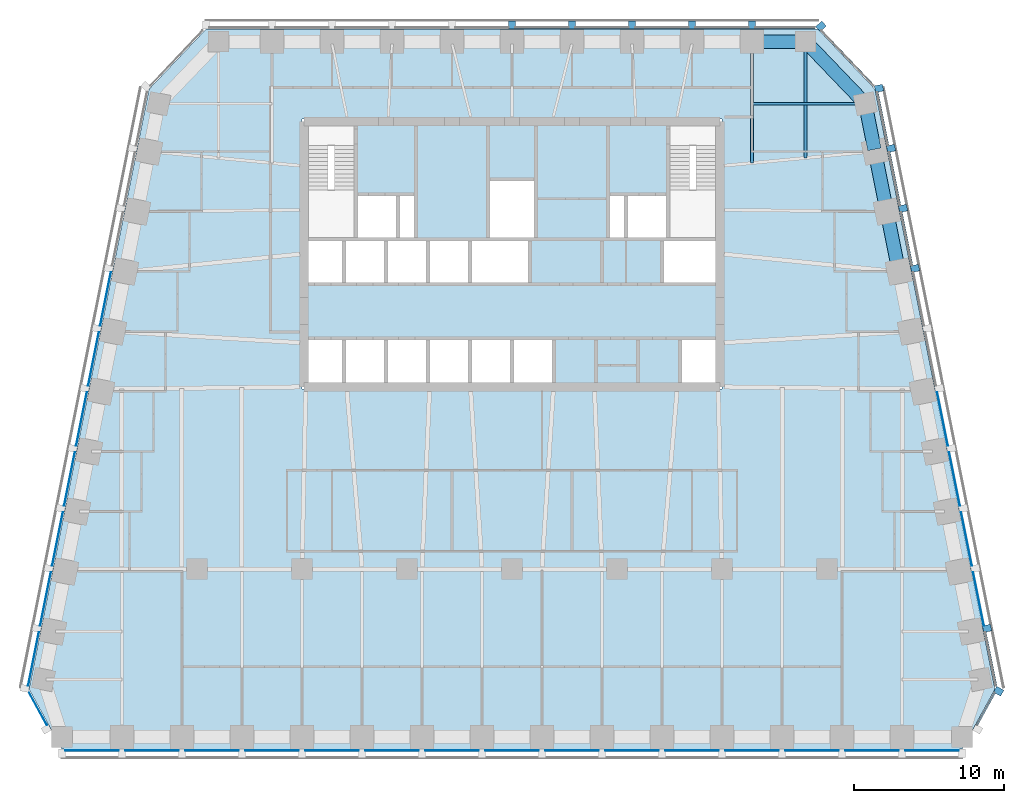
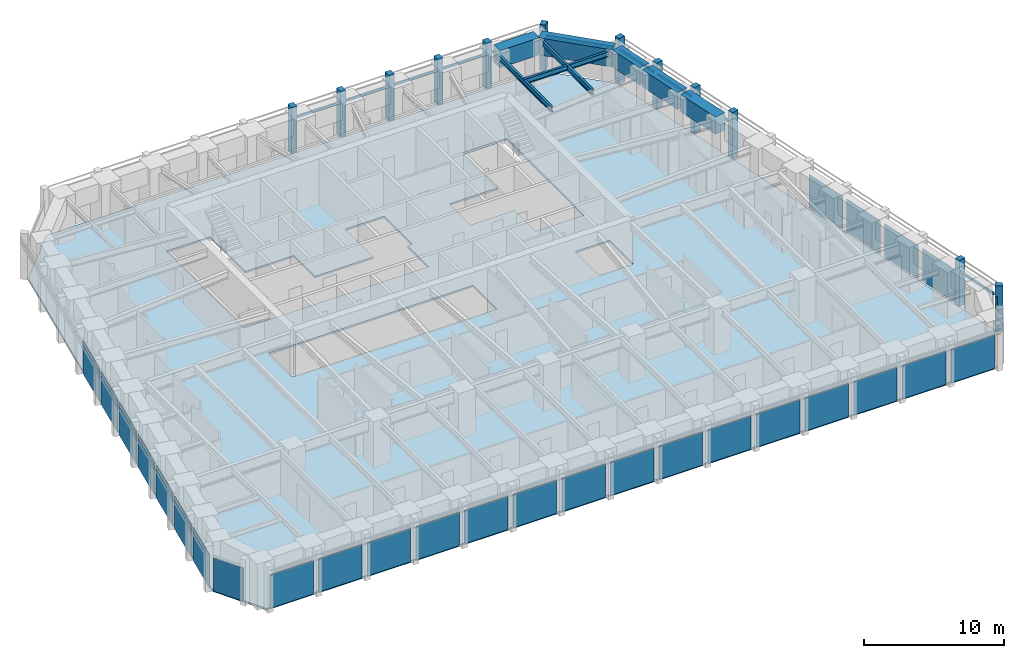
# One storey, part 4 of 11: 27 plates, 23 members, 8 beams, 1 slab, 7 elements without a shape of their own.
"""IFC4 building model written with IfcOpenShell, lengths in metres."""

from ifc_helpers import new_model, si_unit, direction, frame, origin, origin_2d, place, context, subcontext, project, spatial, polyline, rectangle, i_section, outline, extrude, material, layer, layer_set, material_profile, profile_set, type_object, element, aggregate, save


model = new_model("IFC4")

# Units and contexts
model_context = context("Model", 3, precision=1e-05, world=origin(), true_north=direction((0.0, 1.0)))
body_context = subcontext(model_context, "Body", "Model", "MODEL_VIEW")
ifc_project = project(units=[si_unit("LENGTHUNIT", "METRE"), si_unit("AREAUNIT", "SQUARE_METRE"), si_unit("VOLUMEUNIT", "CUBIC_METRE"), si_unit("PLANEANGLEUNIT", "RADIAN"), si_unit("MASSUNIT", "GRAM", prefix="KILO")], contexts=[model_context])

# Site, building, storey
site_placement = place(None, origin())
site = spatial("IfcSite", under=ifc_project, at=site_placement, CompositionType="ELEMENT")
building_placement = place(site_placement, origin())
building = spatial("IfcBuilding", under=site, at=building_placement, Name="Isbrekke Arena Tower", CompositionType="ELEMENT")
storey_placement = place(building_placement, frame((0.0, 0.0, 210.0)))
storey = spatial("IfcBuildingStorey", under=building, at=storey_placement, Name="L48", CompositionType="ELEMENT", Elevation=210.0)

# Beams
ifc_material_1 = material(Name="Steel S355", Category="steel")
ifc_material_profile_1 = material_profile(ifc_material_1, i_section(OverallWidth=0.18994140625, OverallDepth=0.449951171875, WebThickness=0.009521484375, FlangeThickness=0.0146484375, FilletRadius=0.02099609375, at=origin_2d()), Name="IPE 450")
ifc_profile_set_1 = profile_set([ifc_material_profile_1], Name="Steel S355")
beam_type_1 = type_object("IfcBeamType", Name="B2 IPE 450", PredefinedType="BEAM", material=ifc_profile_set_1)
beam_1_placement = place(storey_placement, frame((23.40283203125, 25.029296875, 3.625), z_axis=(-1.0, 0.0, 0.0), x_axis=(0.0, -1.0, 0.0)))
element("IfcBeam", 1, at=beam_1_placement, inside=storey, type_object=beam_type_1, Name="B2 beam E-E11 L48", PredefinedType="BEAM", context=body_context, shape_type="SweptSolid", body=[
    extrude(i_section(OverallWidth=0.18994140625, OverallDepth=0.449951171875, WebThickness=0.009521484375, FlangeThickness=0.0146484375, FilletRadius=0.02099609375, at=origin_2d()), origin(), (0.0, 0.0, 1.0), 7.40283203125),
])
ifc_material_2 = material(Name="Steel S355", Category="steel")
ifc_material_profile_2 = material_profile(ifc_material_2, i_section(OverallWidth=0.18994140625, OverallDepth=0.449951171875, WebThickness=0.009521484375, FlangeThickness=0.0146484375, FilletRadius=0.02099609375, at=origin_2d()), Name="IPE 450")
ifc_profile_set_2 = profile_set([ifc_material_profile_2], Name="Steel S355")
beam_type_2 = type_object("IfcBeamType", Name="B3 IPE 450", PredefinedType="BEAM", material=ifc_profile_set_2)
beam_2_placement = place(storey_placement, frame((19.574951171875, 29.02490234375, 3.625), z_axis=(0.0, -1.0, 0.0), x_axis=(1.0, 0.0, 0.0)))
element("IfcBeam", 2, at=beam_2_placement, inside=storey, type_object=beam_type_2, Name="B3 beam N-N01 L48", PredefinedType="BEAM", context=body_context, shape_type="SweptSolid", body=[
    extrude(i_section(OverallWidth=0.18994140625, OverallDepth=0.449951171875, WebThickness=0.009521484375, FlangeThickness=0.0146484375, FilletRadius=0.02099609375, at=origin_2d()), origin(), (0.0, 0.0, 1.0), 7.6103515625),
])
beam_3_placement = place(storey_placement, frame((16.0, 29.02490234375, 3.625), z_axis=(0.0, -1.0, 0.0), x_axis=(1.0, 0.0, 0.0)))
element("IfcBeam", 3, at=beam_3_placement, inside=storey, type_object=beam_type_2, Name="B3 beam N-N02 L48", PredefinedType="BEAM", context=body_context, shape_type="SweptSolid", body=[
    extrude(i_section(OverallWidth=0.18994140625, OverallDepth=0.449951171875, WebThickness=0.009521484375, FlangeThickness=0.0146484375, FilletRadius=0.02099609375, at=origin_2d()), origin(), (0.0, 0.0, 1.0), 7.949462890625),
])

# Curtain wall, member
ifc_material_3 = material(Name="Glazed aluminium curtain wall", Category="aluminium")
curtain_wall_type = type_object("IfcCurtainWallType", Name="CWH TOWER CURTAIN WALL HIGH ZONE", PredefinedType="USERDEFINED", material=ifc_material_3)
curtain_wall_1_placement = place(storey_placement, origin())
curtain_wall_1 = element("IfcCurtainWall", 4, at=curtain_wall_1_placement, inside=storey, type_object=curtain_wall_type, Name="CWH curtain wall L48-SE", ObjectType="TOWER CURTAIN WALL HIGH ZONE", PredefinedType="USERDEFINED")
ifc_material_4 = material(Name="Aluminium mullion, pale brick slip cladding", Category="masonry")
ifc_material_profile_3 = material_profile(ifc_material_4, rectangle(XDim=0.449951171875, YDim=0.550048828125, at=origin_2d()), Name="PIER 450X550")
ifc_profile_set_3 = profile_set([ifc_material_profile_3], Name="Aluminium mullion, pale brick slip cladding")
member_type_1 = type_object("IfcMemberType", Name="CWH-M PIER MULLION 450 x 550", PredefinedType="MULLION", material=ifc_profile_set_3)
member_1_placement = place(storey_placement, frame((32.44091796875, -14.132568359375, 0.0), z_axis=(0.0, 0.0, 1.0), x_axis=(0.481918749773, 0.876215908676, 0.0)))
member_1 = element("IfcMember", 5, at=member_1_placement, type_object=member_type_1, Name="CWH-M mullion 2", PredefinedType="MULLION", context=body_context, shape_type="SweptSolid", body=[
    extrude(rectangle(XDim=0.449951171875, YDim=0.550048828125, at=origin_2d()), origin(), (0.0, 0.0, 1.0), 4.0),
])

# Curtain wall, members
curtain_wall_2_placement = place(storey_placement, origin())
curtain_wall_2 = element("IfcCurtainWall", 6, at=curtain_wall_2_placement, inside=storey, type_object=curtain_wall_type, Name="CWH curtain wall L48-E", ObjectType="TOWER CURTAIN WALL HIGH ZONE", PredefinedType="USERDEFINED")
member_2_placement = place(storey_placement, frame((31.669677734375, -9.946044921875, 0.0), z_axis=(0.0, 0.0, 1.0), x_axis=(-0.196116135138, 0.980580675691, 0.0)))
member_2 = element("IfcMember", 7, at=member_2_placement, type_object=member_type_1, Name="CWH-M mullion 1", PredefinedType="MULLION", context=body_context, shape_type="SweptSolid", body=[
    extrude(rectangle(XDim=0.449951171875, YDim=0.550048828125, at=origin_2d()), origin(), (0.0, 0.0, 1.0), 4.0),
])
member_3_placement = place(storey_placement, frame((26.86962890625, 14.053955078125, 0.0), z_axis=(0.0, 0.0, 1.0), x_axis=(-0.196116135138, 0.980580675691, 0.0)))
member_3 = element("IfcMember", 8, at=member_3_placement, type_object=member_type_1, Name="CWH-M mullion 7", PredefinedType="MULLION", context=body_context, shape_type="SweptSolid", body=[
    extrude(rectangle(XDim=0.449951171875, YDim=0.550048828125, at=origin_2d()), origin(), (0.0, 0.0, 1.0), 4.0),
])
member_4_placement = place(storey_placement, frame((26.069580078125, 18.053955078125, 0.0), z_axis=(0.0, 0.0, 1.0), x_axis=(-0.196116135138, 0.980580675691, 0.0)))
member_4 = element("IfcMember", 9, at=member_4_placement, type_object=member_type_1, Name="CWH-M mullion 8", PredefinedType="MULLION", context=body_context, shape_type="SweptSolid", body=[
    extrude(rectangle(XDim=0.449951171875, YDim=0.550048828125, at=origin_2d()), origin(), (0.0, 0.0, 1.0), 4.0),
])
member_5_placement = place(storey_placement, frame((25.269775390625, 22.053955078125, 0.0), z_axis=(0.0, 0.0, 1.0), x_axis=(-0.196116135138, 0.980580675691, 0.0)))
member_5 = element("IfcMember", 10, at=member_5_placement, type_object=member_type_1, Name="CWH-M mullion 9", PredefinedType="MULLION", context=body_context, shape_type="SweptSolid", body=[
    extrude(rectangle(XDim=0.449951171875, YDim=0.550048828125, at=origin_2d()), origin(), (0.0, 0.0, 1.0), 4.0),
])
member_6_placement = place(storey_placement, frame((24.4697265625, 26.053955078125, 0.0), z_axis=(0.0, 0.0, 1.0), x_axis=(-0.196116135138, 0.980580675691, 0.0)))
member_6 = element("IfcMember", 11, at=member_6_placement, type_object=member_type_1, Name="CWH-M mullion 10", PredefinedType="MULLION", context=body_context, shape_type="SweptSolid", body=[
    extrude(rectangle(XDim=0.449951171875, YDim=0.550048828125, at=origin_2d()), origin(), (0.0, 0.0, 1.0), 4.0),
])

# Curtain wall, member
curtain_wall_3_placement = place(storey_placement, origin())
curtain_wall_3 = element("IfcCurtainWall", 12, at=curtain_wall_3_placement, inside=storey, type_object=curtain_wall_type, Name="CWH curtain wall L48-EN", ObjectType="TOWER CURTAIN WALL HIGH ZONE", PredefinedType="USERDEFINED")
member_7_placement = place(storey_placement, frame((20.599365234375, 30.189453125, 0.0), z_axis=(0.0, 0.0, 1.0), x_axis=(-0.68874946192, 0.72499943359, 0.0)))
member_7 = element("IfcMember", 13, at=member_7_placement, type_object=member_type_1, Name="CWH-M mullion 1", PredefinedType="MULLION", context=body_context, shape_type="SweptSolid", body=[
    extrude(rectangle(XDim=0.449951171875, YDim=0.550048828125, at=origin_2d()), origin(), (0.0, 0.0, 1.0), 4.0),
])

# Curtain wall, members
curtain_wall_4_placement = place(storey_placement, origin())
curtain_wall_4 = element("IfcCurtainWall", 14, at=curtain_wall_4_placement, inside=storey, type_object=curtain_wall_type, Name="CWH curtain wall L48-N", ObjectType="TOWER CURTAIN WALL HIGH ZONE", PredefinedType="USERDEFINED")
member_8_placement = place(storey_placement, frame((16.0, 30.27490234375, 0.0), z_axis=(0.0, 0.0, 1.0), x_axis=(-1.0, 0.0, 0.0)))
member_8 = element("IfcMember", 15, at=member_8_placement, type_object=member_type_1, Name="CWH-M mullion 1", PredefinedType="MULLION", context=body_context, shape_type="SweptSolid", body=[
    extrude(rectangle(XDim=0.449951171875, YDim=0.550048828125, at=origin_2d()), origin(), (0.0, 0.0, 1.0), 4.0),
])
member_9_placement = place(storey_placement, frame((12.0, 30.27490234375, 0.0), z_axis=(0.0, 0.0, 1.0), x_axis=(-1.0, 0.0, 0.0)))
member_9 = element("IfcMember", 16, at=member_9_placement, type_object=member_type_1, Name="CWH-M mullion 2", PredefinedType="MULLION", context=body_context, shape_type="SweptSolid", body=[
    extrude(rectangle(XDim=0.449951171875, YDim=0.550048828125, at=origin_2d()), origin(), (0.0, 0.0, 1.0), 4.0),
])
member_10_placement = place(storey_placement, frame((8.0, 30.27490234375, 0.0), z_axis=(0.0, 0.0, 1.0), x_axis=(-1.0, 0.0, 0.0)))
member_10 = element("IfcMember", 17, at=member_10_placement, type_object=member_type_1, Name="CWH-M mullion 3", PredefinedType="MULLION", context=body_context, shape_type="SweptSolid", body=[
    extrude(rectangle(XDim=0.449951171875, YDim=0.550048828125, at=origin_2d()), origin(), (0.0, 0.0, 1.0), 4.0),
])
member_11_placement = place(storey_placement, frame((4.0, 30.27490234375, 0.0), z_axis=(0.0, 0.0, 1.0), x_axis=(-1.0, 0.0, 0.0)))
member_11 = element("IfcMember", 18, at=member_11_placement, type_object=member_type_1, Name="CWH-M mullion 4", PredefinedType="MULLION", context=body_context, shape_type="SweptSolid", body=[
    extrude(rectangle(XDim=0.449951171875, YDim=0.550048828125, at=origin_2d()), origin(), (0.0, 0.0, 1.0), 4.0),
])
member_12_placement = place(storey_placement, frame((0.0, 30.27490234375, 0.0), z_axis=(0.0, 0.0, 1.0), x_axis=(-1.0, 0.0, 0.0)))
member_12 = element("IfcMember", 19, at=member_12_placement, type_object=member_type_1, Name="CWH-M mullion 5", PredefinedType="MULLION", context=body_context, shape_type="SweptSolid", body=[
    extrude(rectangle(XDim=0.449951171875, YDim=0.550048828125, at=origin_2d()), origin(), (0.0, 0.0, 1.0), 4.0),
])

# Member
ifc_material_5 = material(Name="Aluminium transom", Category="aluminium")
ifc_material_profile_4 = material_profile(ifc_material_5, rectangle(XDim=0.1201171875, YDim=0.199951171875, at=origin_2d()), Name="TRANSOM 120X200")
ifc_profile_set_4 = profile_set([ifc_material_profile_4], Name="Aluminium transom")
member_type_2 = type_object("IfcMemberType", Name="CWH-T TRANSOM 120 x 200", PredefinedType="USERDEFINED", material=ifc_profile_set_4)
member_13_placement = place(storey_placement, frame((31.002197265625, -16.38525390625, 3.0), z_axis=(0.481937937062, 0.876205355393, 0.0), x_axis=(-0.876205355393, 0.481937937062, 0.0)))
member_13 = element("IfcMember", 20, at=member_13_placement, type_object=member_type_2, Name="CWH-T transom 1", ObjectType="TRANSOM", PredefinedType="USERDEFINED", context=body_context, shape_type="SweptSolid", body=[
    extrude(rectangle(XDim=0.1201171875, YDim=0.199951171875, at=origin_2d()), origin(), (0.0, 0.0, 1.0), 2.442138671875),
])

aggregate(curtain_wall_1, [member_1, member_13])

member_14_placement = place(storey_placement, frame((32.25390625, -13.759765625, 3.0), z_axis=(-0.196090262229, 0.980585849918, 0.0), x_axis=(-0.980585849918, -0.196090262229, 0.0)))
member_14 = element("IfcMember", 21, at=member_14_placement, type_object=member_type_2, Name="CWH-T transom 1", ObjectType="TRANSOM", PredefinedType="USERDEFINED", context=body_context, shape_type="SweptSolid", body=[
    extrude(rectangle(XDim=0.1201171875, YDim=0.199951171875, at=origin_2d()), origin(), (0.0, 0.0, 1.0), 3.62939453125),
])

member_15_placement = place(storey_placement, frame((26.654052734375, 14.240234375, 3.0), z_axis=(-0.196154943734, 0.980572913173, 0.0), x_axis=(-0.980572913173, -0.196154943734, 0.0)))
member_15 = element("IfcMember", 22, at=member_15_placement, type_object=member_type_2, Name="CWH-T transom 8", ObjectType="TRANSOM", PredefinedType="USERDEFINED", context=body_context, shape_type="SweptSolid", body=[
    extrude(rectangle(XDim=0.1201171875, YDim=0.199951171875, at=origin_2d()), origin(), (0.0, 0.0, 1.0), 3.62939453125),
])

member_16_placement = place(storey_placement, frame((25.85400390625, 18.240234375, 3.0), z_axis=(-0.196154943734, 0.980572913173, 0.0), x_axis=(-0.980572913173, -0.196154943734, 0.0)))
member_16 = element("IfcMember", 23, at=member_16_placement, type_object=member_type_2, Name="CWH-T transom 9", ObjectType="TRANSOM", PredefinedType="USERDEFINED", context=body_context, shape_type="SweptSolid", body=[
    extrude(rectangle(XDim=0.1201171875, YDim=0.199951171875, at=origin_2d()), origin(), (0.0, 0.0, 1.0), 3.62939453125),
])

member_17_placement = place(storey_placement, frame((25.053955078125, 22.240234375, 3.0), z_axis=(-0.196090262229, 0.980585849918, 0.0), x_axis=(-0.980585849918, -0.196090262229, 0.0)))
member_17 = element("IfcMember", 24, at=member_17_placement, type_object=member_type_2, Name="CWH-T transom 10", ObjectType="TRANSOM", PredefinedType="USERDEFINED", context=body_context, shape_type="SweptSolid", body=[
    extrude(rectangle(XDim=0.1201171875, YDim=0.199951171875, at=origin_2d()), origin(), (0.0, 0.0, 1.0), 3.62939453125),
])

member_18_placement = place(storey_placement, frame((24.117431640625, 26.23193359375, 3.0), z_axis=(-0.688734266994, 0.725013868466, 0.0), x_axis=(-0.725013868466, -0.688734266994, 0.0)))
member_18 = element("IfcMember", 25, at=member_18_placement, type_object=member_type_2, Name="CWH-T transom 1", ObjectType="TRANSOM", PredefinedType="USERDEFINED", context=body_context, shape_type="SweptSolid", body=[
    extrude(rectangle(XDim=0.1201171875, YDim=0.199951171875, at=origin_2d()), origin(), (0.0, 0.0, 1.0), 5.067138671875),
])

aggregate(curtain_wall_3, [member_7, member_18])

member_19_placement = place(storey_placement, frame((20.175048828125, 30.10009765625, 3.0), z_axis=(-1.0, 0.0, 0.0), x_axis=(0.0, -1.0, 0.0)))
member_19 = element("IfcMember", 26, at=member_19_placement, type_object=member_type_2, Name="CWH-T transom 1", ObjectType="TRANSOM", PredefinedType="USERDEFINED", context=body_context, shape_type="SweptSolid", body=[
    extrude(rectangle(XDim=0.1201171875, YDim=0.199951171875, at=origin_2d()), origin(), (0.0, 0.0, 1.0), 3.949951171875),
])

member_20_placement = place(storey_placement, frame((15.77490234375, 30.10009765625, 3.0), z_axis=(-1.0, 0.0, 0.0), x_axis=(0.0, -1.0, 0.0)))
member_20 = element("IfcMember", 27, at=member_20_placement, type_object=member_type_2, Name="CWH-T transom 2", ObjectType="TRANSOM", PredefinedType="USERDEFINED", context=body_context, shape_type="SweptSolid", body=[
    extrude(rectangle(XDim=0.1201171875, YDim=0.199951171875, at=origin_2d()), origin(), (0.0, 0.0, 1.0), 3.5498046875),
])

member_21_placement = place(storey_placement, frame((11.77490234375, 30.10009765625, 3.0), z_axis=(-1.0, 0.0, 0.0), x_axis=(0.0, -1.0, 0.0)))
member_21 = element("IfcMember", 28, at=member_21_placement, type_object=member_type_2, Name="CWH-T transom 3", ObjectType="TRANSOM", PredefinedType="USERDEFINED", context=body_context, shape_type="SweptSolid", body=[
    extrude(rectangle(XDim=0.1201171875, YDim=0.199951171875, at=origin_2d()), origin(), (0.0, 0.0, 1.0), 3.5498046875),
])

member_22_placement = place(storey_placement, frame((7.77490234375, 30.10009765625, 3.0), z_axis=(-1.0, 0.0, 0.0), x_axis=(0.0, -1.0, 0.0)))
member_22 = element("IfcMember", 29, at=member_22_placement, type_object=member_type_2, Name="CWH-T transom 4", ObjectType="TRANSOM", PredefinedType="USERDEFINED", context=body_context, shape_type="SweptSolid", body=[
    extrude(rectangle(XDim=0.1201171875, YDim=0.199951171875, at=origin_2d()), origin(), (0.0, 0.0, 1.0), 3.5498046875),
])

member_23_placement = place(storey_placement, frame((3.77490234375, 30.10009765625, 3.0), z_axis=(-1.0, 0.0, 0.0), x_axis=(0.0, -1.0, 0.0)))
member_23 = element("IfcMember", 30, at=member_23_placement, type_object=member_type_2, Name="CWH-T transom 5", ObjectType="TRANSOM", PredefinedType="USERDEFINED", context=body_context, shape_type="SweptSolid", body=[
    extrude(rectangle(XDim=0.1201171875, YDim=0.199951171875, at=origin_2d()), origin(), (0.0, 0.0, 1.0), 3.5498046875),
])

aggregate(curtain_wall_4, [member_8, member_9, member_10, member_11, member_12, member_19, member_20, member_21, member_22, member_23])

# Beams
ifc_material_6 = material(Name="Concrete B65 (C65/80)", Category="concrete")
ifc_material_profile_5 = material_profile(ifc_material_6, rectangle(XDim=0.89990234375, YDim=1.5, at=origin_2d()), Name="RC 900x1500")
ifc_profile_set_5 = profile_set([ifc_material_profile_5], Name="Concrete B65 (C65/80)")
beam_type_3 = type_object("IfcBeamType", Name="SB3 RC 900 x 1500", PredefinedType="SPANDREL", material=ifc_profile_set_5)
for number, where, z_axis, x_axis, name in (
    (31, (25.76171875, 13.9853515625, 3.25), (-0.196128558387, 0.980578190959, 0.0), (-0.980578190959, -0.196128558387, 0.0), "SB3 spandrel E08-E09 L48"),
    (32, (24.961669921875, 17.9853515625, 3.25), (-0.196128558387, 0.980578190959, 0.0), (-0.980578190959, -0.196128558387, 0.0), "SB3 spandrel E09-E10 L48"),
):
    element("IfcBeam", number, at=place(storey_placement, frame(where, z_axis=z_axis, x_axis=x_axis)), inside=storey, type_object=beam_type_3, Name=name, PredefinedType="SPANDREL", context=body_context, shape_type="SweptSolid", body=[
        extrude(rectangle(XDim=0.89990234375, YDim=1.5, at=origin_2d()), origin(), (0.0, 0.0, 1.0), 3.779296875),
    ])
beam_4_placement = place(storey_placement, frame((24.16162109375, 21.9853515625, 3.25), z_axis=(-0.196116135138, 0.980580675691, 0.0), x_axis=(-0.980580675691, -0.196116135138, 0.0)))
element("IfcBeam", 33, at=beam_4_placement, inside=storey, type_object=beam_type_3, Name="SB3 spandrel E10-E11 L48", PredefinedType="SPANDREL", context=body_context, shape_type="SweptSolid", body=[
    extrude(rectangle(XDim=0.89990234375, YDim=1.5, at=origin_2d()), origin(), (0.0, 0.0, 1.0), 2.9541015625),
])
beam_5_placement = place(storey_placement, frame((23.448974609375, 25.137451171875, 3.25), z_axis=(-0.692339547635, 0.721571861134, 0.0), x_axis=(-0.721571861134, -0.692339547635, 0.0)))
element("IfcBeam", 34, at=beam_5_placement, inside=storey, type_object=beam_type_3, Name="SB3 spandrel E11-N01 L48", PredefinedType="SPANDREL", context=body_context, shape_type="SweptSolid", body=[
    extrude(rectangle(XDim=0.89990234375, YDim=1.5, at=origin_2d()), origin(), (0.0, 0.0, 1.0), 5.4453125),
])
beam_6_placement = place(storey_placement, frame((19.425048828125, 29.175048828125, 3.25), z_axis=(-1.0, 0.0, 0.0), x_axis=(0.0, -1.0, 0.0)))
element("IfcBeam", 35, at=beam_6_placement, inside=storey, type_object=beam_type_3, Name="SB3 spandrel N01-N02 L48", PredefinedType="SPANDREL", context=body_context, shape_type="SweptSolid", body=[
    extrude(rectangle(XDim=0.89990234375, YDim=1.5, at=origin_2d()), origin(), (0.0, 0.0, 1.0), 3.275146484375),
])

# Curtain wall, plates
curtain_wall_5_placement = place(storey_placement, origin())
curtain_wall_5 = element("IfcCurtainWall", 36, at=curtain_wall_5_placement, inside=storey, type_object=curtain_wall_type, Name="CWH curtain wall L48-S", ObjectType="TOWER CURTAIN WALL HIGH ZONE", PredefinedType="USERDEFINED")
ifc_material_7 = material(Name="Triple-glazed clear glass unit", Category="glass")
ifc_layer_1 = layer(ifc_material_7, 0.031982421875)
ifc_layer_set_1 = layer_set([ifc_layer_1], Name="CWH-P VISION PANEL")
plate_type = type_object("IfcPlateType", Name="CWH-P VISION PANEL", PredefinedType="CURTAIN_PANEL", material=ifc_layer_set_1)
plate_1_placement = place(storey_placement, frame((-28.0, -18.10009765625, 0.02001953125), z_axis=(0.0, 0.0, 1.0), x_axis=(1.0, 0.0, 0.0)))
plate_1 = element("IfcPlate", 37, at=plate_1_placement, type_object=plate_type, Name="CWH-P panel 1", PredefinedType="CURTAIN_PANEL", context=body_context, shape_type="SweptSolid", body=[
    extrude(rectangle(XDim=3.550048828125, YDim=0.031982421875, at=origin_2d()), origin(), (0.0, 0.0, 1.0), 2.8798828125),
])
plate_2_placement = place(storey_placement, frame((-24.0, -18.10009765625, 0.02001953125), z_axis=(0.0, 0.0, 1.0), x_axis=(1.0, 0.0, 0.0)))
plate_2 = element("IfcPlate", 38, at=plate_2_placement, type_object=plate_type, Name="CWH-P panel 2", PredefinedType="CURTAIN_PANEL", context=body_context, shape_type="SweptSolid", body=[
    extrude(rectangle(XDim=3.550048828125, YDim=0.031982421875, at=origin_2d()), origin(), (0.0, 0.0, 1.0), 2.8798828125),
])
plate_3_placement = place(storey_placement, frame((-20.0, -18.10009765625, 0.02001953125), z_axis=(0.0, 0.0, 1.0), x_axis=(1.0, 0.0, 0.0)))
plate_3 = element("IfcPlate", 39, at=plate_3_placement, type_object=plate_type, Name="CWH-P panel 3", PredefinedType="CURTAIN_PANEL", context=body_context, shape_type="SweptSolid", body=[
    extrude(rectangle(XDim=3.550048828125, YDim=0.031982421875, at=origin_2d()), origin(), (0.0, 0.0, 1.0), 2.8798828125),
])
plate_4_placement = place(storey_placement, frame((-16.0, -18.10009765625, 0.02001953125), z_axis=(0.0, 0.0, 1.0), x_axis=(1.0, 0.0, 0.0)))
plate_4 = element("IfcPlate", 40, at=plate_4_placement, type_object=plate_type, Name="CWH-P panel 4", PredefinedType="CURTAIN_PANEL", context=body_context, shape_type="SweptSolid", body=[
    extrude(rectangle(XDim=3.550048828125, YDim=0.031982421875, at=origin_2d()), origin(), (0.0, 0.0, 1.0), 2.8798828125),
])
plate_5_placement = place(storey_placement, frame((-12.0, -18.10009765625, 0.02001953125), z_axis=(0.0, 0.0, 1.0), x_axis=(1.0, 0.0, 0.0)))
plate_5 = element("IfcPlate", 41, at=plate_5_placement, type_object=plate_type, Name="CWH-P panel 5", PredefinedType="CURTAIN_PANEL", context=body_context, shape_type="SweptSolid", body=[
    extrude(rectangle(XDim=3.550048828125, YDim=0.031982421875, at=origin_2d()), origin(), (0.0, 0.0, 1.0), 2.8798828125),
])
plate_6_placement = place(storey_placement, frame((-8.0, -18.10009765625, 0.02001953125), z_axis=(0.0, 0.0, 1.0), x_axis=(1.0, 0.0, 0.0)))
plate_6 = element("IfcPlate", 42, at=plate_6_placement, type_object=plate_type, Name="CWH-P panel 6", PredefinedType="CURTAIN_PANEL", context=body_context, shape_type="SweptSolid", body=[
    extrude(rectangle(XDim=3.550048828125, YDim=0.031982421875, at=origin_2d()), origin(), (0.0, 0.0, 1.0), 2.8798828125),
])
plate_7_placement = place(storey_placement, frame((-4.0, -18.10009765625, 0.02001953125), z_axis=(0.0, 0.0, 1.0), x_axis=(1.0, 0.0, 0.0)))
plate_7 = element("IfcPlate", 43, at=plate_7_placement, type_object=plate_type, Name="CWH-P panel 7", PredefinedType="CURTAIN_PANEL", context=body_context, shape_type="SweptSolid", body=[
    extrude(rectangle(XDim=3.550048828125, YDim=0.031982421875, at=origin_2d()), origin(), (0.0, 0.0, 1.0), 2.8798828125),
])
plate_8_placement = place(storey_placement, frame((0.0, -18.10009765625, 0.02001953125), z_axis=(0.0, 0.0, 1.0), x_axis=(1.0, 0.0, 0.0)))
plate_8 = element("IfcPlate", 44, at=plate_8_placement, type_object=plate_type, Name="CWH-P panel 8", PredefinedType="CURTAIN_PANEL", context=body_context, shape_type="SweptSolid", body=[
    extrude(rectangle(XDim=3.550048828125, YDim=0.031982421875, at=origin_2d()), origin(), (0.0, 0.0, 1.0), 2.8798828125),
])
plate_9_placement = place(storey_placement, frame((4.0, -18.10009765625, 0.02001953125), z_axis=(0.0, 0.0, 1.0), x_axis=(1.0, 0.0, 0.0)))
plate_9 = element("IfcPlate", 45, at=plate_9_placement, type_object=plate_type, Name="CWH-P panel 9", PredefinedType="CURTAIN_PANEL", context=body_context, shape_type="SweptSolid", body=[
    extrude(rectangle(XDim=3.550048828125, YDim=0.031982421875, at=origin_2d()), origin(), (0.0, 0.0, 1.0), 2.8798828125),
])
plate_10_placement = place(storey_placement, frame((8.0, -18.10009765625, 0.02001953125), z_axis=(0.0, 0.0, 1.0), x_axis=(1.0, 0.0, 0.0)))
plate_10 = element("IfcPlate", 46, at=plate_10_placement, type_object=plate_type, Name="CWH-P panel 10", PredefinedType="CURTAIN_PANEL", context=body_context, shape_type="SweptSolid", body=[
    extrude(rectangle(XDim=3.550048828125, YDim=0.031982421875, at=origin_2d()), origin(), (0.0, 0.0, 1.0), 2.8798828125),
])
plate_11_placement = place(storey_placement, frame((12.0, -18.10009765625, 0.02001953125), z_axis=(0.0, 0.0, 1.0), x_axis=(1.0, 0.0, 0.0)))
plate_11 = element("IfcPlate", 47, at=plate_11_placement, type_object=plate_type, Name="CWH-P panel 11", PredefinedType="CURTAIN_PANEL", context=body_context, shape_type="SweptSolid", body=[
    extrude(rectangle(XDim=3.550048828125, YDim=0.031982421875, at=origin_2d()), origin(), (0.0, 0.0, 1.0), 2.8798828125),
])
plate_12_placement = place(storey_placement, frame((16.0, -18.10009765625, 0.02001953125), z_axis=(0.0, 0.0, 1.0), x_axis=(1.0, 0.0, 0.0)))
plate_12 = element("IfcPlate", 48, at=plate_12_placement, type_object=plate_type, Name="CWH-P panel 12", PredefinedType="CURTAIN_PANEL", context=body_context, shape_type="SweptSolid", body=[
    extrude(rectangle(XDim=3.550048828125, YDim=0.031982421875, at=origin_2d()), origin(), (0.0, 0.0, 1.0), 2.8798828125),
])
plate_13_placement = place(storey_placement, frame((20.0, -18.10009765625, 0.02001953125), z_axis=(0.0, 0.0, 1.0), x_axis=(1.0, 0.0, 0.0)))
plate_13 = element("IfcPlate", 49, at=plate_13_placement, type_object=plate_type, Name="CWH-P panel 13", PredefinedType="CURTAIN_PANEL", context=body_context, shape_type="SweptSolid", body=[
    extrude(rectangle(XDim=3.550048828125, YDim=0.031982421875, at=origin_2d()), origin(), (0.0, 0.0, 1.0), 2.8798828125),
])
plate_14_placement = place(storey_placement, frame((24.0, -18.10009765625, 0.02001953125), z_axis=(0.0, 0.0, 1.0), x_axis=(1.0, 0.0, 0.0)))
plate_14 = element("IfcPlate", 50, at=plate_14_placement, type_object=plate_type, Name="CWH-P panel 14", PredefinedType="CURTAIN_PANEL", context=body_context, shape_type="SweptSolid", body=[
    extrude(rectangle(XDim=3.550048828125, YDim=0.031982421875, at=origin_2d()), origin(), (0.0, 0.0, 1.0), 2.8798828125),
])
plate_15_placement = place(storey_placement, frame((28.0, -18.10009765625, 0.02001953125), z_axis=(0.0, 0.0, 1.0), x_axis=(1.0, 0.0, 0.0)))
plate_15 = element("IfcPlate", 51, at=plate_15_placement, type_object=plate_type, Name="CWH-P panel 15", PredefinedType="CURTAIN_PANEL", context=body_context, shape_type="SweptSolid", body=[
    extrude(rectangle(XDim=3.550048828125, YDim=0.031982421875, at=origin_2d()), origin(), (0.0, 0.0, 1.0), 2.8798828125),
])
aggregate(curtain_wall_5, [plate_1, plate_2, plate_3, plate_4, plate_5, plate_6, plate_7, plate_8, plate_9, plate_10, plate_11, plate_12, plate_13, plate_14, plate_15])

# Plate
plate_16_placement = place(storey_placement, frame((31.09814453125, -7.98046875, 0.02001953125), z_axis=(0.0, 0.0, 1.0), x_axis=(-0.196116135138, 0.980580675691, 0.0)))
plate_16 = element("IfcPlate", 52, at=plate_16_placement, type_object=plate_type, Name="CWH-P panel 2", PredefinedType="CURTAIN_PANEL", context=body_context, shape_type="SweptSolid", body=[
    extrude(rectangle(XDim=3.629150390625, YDim=0.031982421875, at=origin_2d()), origin(), (0.0, 0.0, 1.0), 2.8798828125),
])

plate_17_placement = place(storey_placement, frame((30.298095703125, -3.98046875, 0.02001953125), z_axis=(0.0, 0.0, 1.0), x_axis=(-0.196116135138, 0.980580675691, 0.0)))
plate_17 = element("IfcPlate", 53, at=plate_17_placement, type_object=plate_type, Name="CWH-P panel 3", PredefinedType="CURTAIN_PANEL", context=body_context, shape_type="SweptSolid", body=[
    extrude(rectangle(XDim=3.629150390625, YDim=0.031982421875, at=origin_2d()), origin(), (0.0, 0.0, 1.0), 2.8798828125),
])

plate_18_placement = place(storey_placement, frame((29.498046875, 0.01953125, 0.02001953125), z_axis=(0.0, 0.0, 1.0), x_axis=(-0.196116135138, 0.980580675691, 0.0)))
plate_18 = element("IfcPlate", 54, at=plate_18_placement, type_object=plate_type, Name="CWH-P panel 4", PredefinedType="CURTAIN_PANEL", context=body_context, shape_type="SweptSolid", body=[
    extrude(rectangle(XDim=3.629150390625, YDim=0.031982421875, at=origin_2d()), origin(), (0.0, 0.0, 1.0), 2.8798828125),
])

plate_19_placement = place(storey_placement, frame((28.697998046875, 4.01953125, 0.02001953125), z_axis=(0.0, 0.0, 1.0), x_axis=(-0.196116135138, 0.980580675691, 0.0)))
plate_19 = element("IfcPlate", 55, at=plate_19_placement, type_object=plate_type, Name="CWH-P panel 5", PredefinedType="CURTAIN_PANEL", context=body_context, shape_type="SweptSolid", body=[
    extrude(rectangle(XDim=3.629150390625, YDim=0.031982421875, at=origin_2d()), origin(), (0.0, 0.0, 1.0), 2.8798828125),
])

aggregate(curtain_wall_2, [member_2, member_3, member_4, member_5, member_6, member_14, plate_16, plate_17, plate_18, plate_19, member_15, member_16, member_17])

# Curtain wall, plates
curtain_wall_6_placement = place(storey_placement, origin())
curtain_wall_6 = element("IfcCurtainWall", 56, at=curtain_wall_6_placement, inside=storey, type_object=curtain_wall_type, Name="CWH curtain wall L48-W", ObjectType="TOWER CURTAIN WALL HIGH ZONE", PredefinedType="USERDEFINED")
plate_20_placement = place(storey_placement, frame((-27.09814453125, 12.01953125, 0.02001953125), z_axis=(0.0, 0.0, 1.0), x_axis=(-0.196116135138, -0.980580675691, 0.0)))
plate_20 = element("IfcPlate", 57, at=plate_20_placement, type_object=plate_type, Name="CWH-P panel 4", PredefinedType="CURTAIN_PANEL", context=body_context, shape_type="SweptSolid", body=[
    extrude(rectangle(XDim=3.629150390625, YDim=0.031982421875, at=origin_2d()), origin(), (0.0, 0.0, 1.0), 2.8798828125),
])
plate_21_placement = place(storey_placement, frame((-27.89794921875, 8.01953125, 0.02001953125), z_axis=(0.0, 0.0, 1.0), x_axis=(-0.196116135138, -0.980580675691, 0.0)))
plate_21 = element("IfcPlate", 58, at=plate_21_placement, type_object=plate_type, Name="CWH-P panel 5", PredefinedType="CURTAIN_PANEL", context=body_context, shape_type="SweptSolid", body=[
    extrude(rectangle(XDim=3.629150390625, YDim=0.031982421875, at=origin_2d()), origin(), (0.0, 0.0, 1.0), 2.8798828125),
])
plate_22_placement = place(storey_placement, frame((-28.697998046875, 4.01953125, 0.02001953125), z_axis=(0.0, 0.0, 1.0), x_axis=(-0.196116135138, -0.980580675691, 0.0)))
plate_22 = element("IfcPlate", 59, at=plate_22_placement, type_object=plate_type, Name="CWH-P panel 6", PredefinedType="CURTAIN_PANEL", context=body_context, shape_type="SweptSolid", body=[
    extrude(rectangle(XDim=3.629150390625, YDim=0.031982421875, at=origin_2d()), origin(), (0.0, 0.0, 1.0), 2.8798828125),
])
plate_23_placement = place(storey_placement, frame((-29.498046875, 0.01953125, 0.02001953125), z_axis=(0.0, 0.0, 1.0), x_axis=(-0.196116135138, -0.980580675691, 0.0)))
plate_23 = element("IfcPlate", 60, at=plate_23_placement, type_object=plate_type, Name="CWH-P panel 7", PredefinedType="CURTAIN_PANEL", context=body_context, shape_type="SweptSolid", body=[
    extrude(rectangle(XDim=3.629150390625, YDim=0.031982421875, at=origin_2d()), origin(), (0.0, 0.0, 1.0), 2.8798828125),
])
plate_24_placement = place(storey_placement, frame((-30.298095703125, -3.98046875, 0.02001953125), z_axis=(0.0, 0.0, 1.0), x_axis=(-0.196116135138, -0.980580675691, 0.0)))
plate_24 = element("IfcPlate", 61, at=plate_24_placement, type_object=plate_type, Name="CWH-P panel 8", PredefinedType="CURTAIN_PANEL", context=body_context, shape_type="SweptSolid", body=[
    extrude(rectangle(XDim=3.629150390625, YDim=0.031982421875, at=origin_2d()), origin(), (0.0, 0.0, 1.0), 2.8798828125),
])
plate_25_placement = place(storey_placement, frame((-31.09814453125, -7.98046875, 0.02001953125), z_axis=(0.0, 0.0, 1.0), x_axis=(-0.196116135138, -0.980580675691, 0.0)))
plate_25 = element("IfcPlate", 62, at=plate_25_placement, type_object=plate_type, Name="CWH-P panel 9", PredefinedType="CURTAIN_PANEL", context=body_context, shape_type="SweptSolid", body=[
    extrude(rectangle(XDim=3.629150390625, YDim=0.031982421875, at=origin_2d()), origin(), (0.0, 0.0, 1.0), 2.8798828125),
])
plate_26_placement = place(storey_placement, frame((-31.89794921875, -11.98046875, 0.02001953125), z_axis=(0.0, 0.0, 1.0), x_axis=(-0.196116135138, -0.980580675691, 0.0)))
plate_26 = element("IfcPlate", 63, at=plate_26_placement, type_object=plate_type, Name="CWH-P panel 10", PredefinedType="CURTAIN_PANEL", context=body_context, shape_type="SweptSolid", body=[
    extrude(rectangle(XDim=3.629150390625, YDim=0.031982421875, at=origin_2d()), origin(), (0.0, 0.0, 1.0), 2.8798828125),
])
aggregate(curtain_wall_6, [plate_20, plate_21, plate_22, plate_23, plate_24, plate_25, plate_26])

# Curtain wall, plate
curtain_wall_7_placement = place(storey_placement, origin())
curtain_wall_7 = element("IfcCurtainWall", 64, at=curtain_wall_7_placement, inside=storey, type_object=curtain_wall_type, Name="CWH curtain wall L48-WS", ObjectType="TOWER CURTAIN WALL HIGH ZONE", PredefinedType="USERDEFINED")
plate_27_placement = place(storey_placement, frame((-31.59033203125, -15.31591796875, 0.02001953125), z_axis=(0.0, 0.0, 1.0), x_axis=(0.481918749773, -0.876215908676, 0.0)))
plate_27 = element("IfcPlate", 65, at=plate_27_placement, type_object=plate_type, Name="CWH-P panel 1", PredefinedType="CURTAIN_PANEL", context=body_context, shape_type="SweptSolid", body=[
    extrude(rectangle(XDim=2.443603515625, YDim=0.031982421875, at=origin_2d()), origin(), (0.0, 0.0, 1.0), 2.8798828125),
])
aggregate(curtain_wall_7, [plate_27])

# Slab
ifc_material_8 = material(Name="Concrete B35 (C35/45)", Category="concrete")
ifc_layer_2 = layer(ifc_material_8, 0.14990234375)
ifc_layer_set_2 = layer_set([ifc_layer_2], Name="FS1 COMPOSITE FLOOR 150")
slab_type = type_object("IfcSlabType", Name="FS1 COMPOSITE FLOOR 150", PredefinedType="FLOOR", material=ifc_layer_set_2)
slab_placement = place(storey_placement, frame((0.0, 0.0, -0.14990234375)))
element("IfcSlab", 66, at=slab_placement, inside=storey, type_object=slab_type, Name="FS1 floor slab L48", PredefinedType="FLOOR", context=body_context, shape_type="SweptSolid", body=[
    extrude(outline(polyline([(-30.0, -18.0), (30.0, -18.0), (32.199951171875, -14.0), (24.199951171875, 26.0), (20.39990234375, 30.0), (-20.39990234375, 30.0), (-24.199951171875, 26.0), (-32.199951171875, -14.0), (-30.0, -18.0)]), holes=[polyline([(2.800048828125, 9.39990234375), (2.800048828125, 6.0), (-14.0, 6.0), (-14.0, 9.39990234375), (2.800048828125, 9.39990234375)]), polyline([(11.199951171875, 6.0), (11.199951171875, 9.39990234375), (14.0, 9.39990234375), (14.0, 6.0), (11.199951171875, 6.0)]), polyline([(-14.0, 13.0), (-14.0, 24.0), (-10.39990234375, 24.0), (-10.39990234375, 19.0), (-6.39990234375, 19.0), (-6.39990234375, 16.0), (-1.60009765625, 16.0), (-1.60009765625, 20.0), (1.60009765625, 20.0), (1.60009765625, 16.0), (1.199951171875, 16.0), (1.199951171875, 13.0), (-14.0, 13.0)]), polyline([(10.0, 13.0), (10.0, 16.0), (6.39990234375, 16.0), (6.39990234375, 19.0), (10.39990234375, 19.0), (10.39990234375, 24.0), (14.0, 24.0), (14.0, 13.0), (10.0, 13.0)])]), origin(), (0.0, 0.0, 1.0), 0.14990234375),
])

save(model, "model.ifc")
